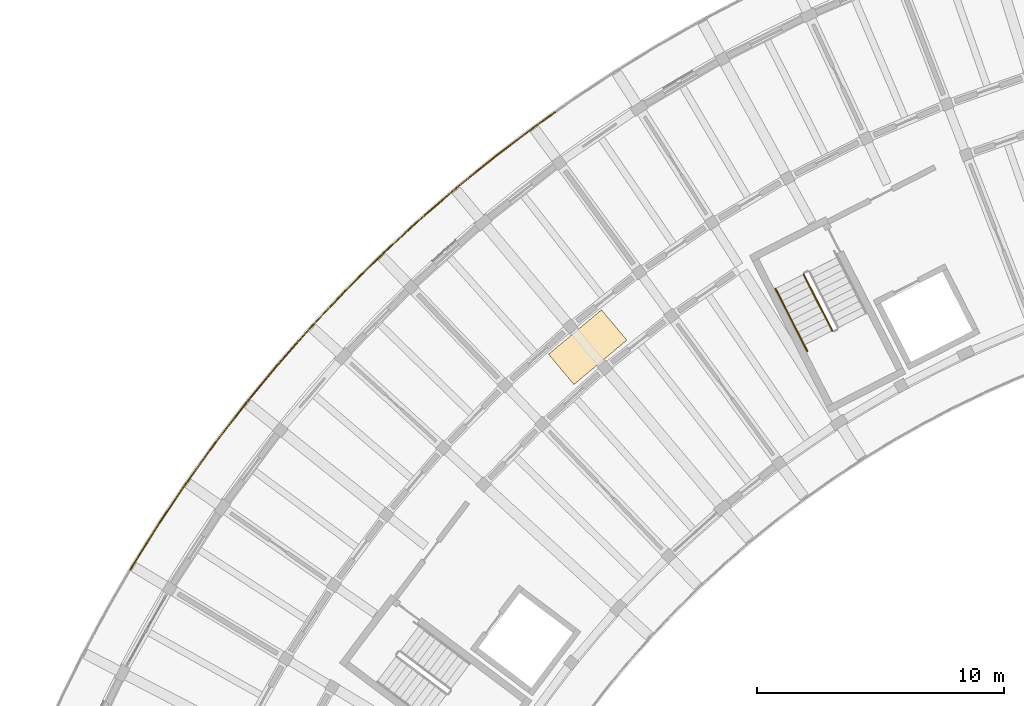
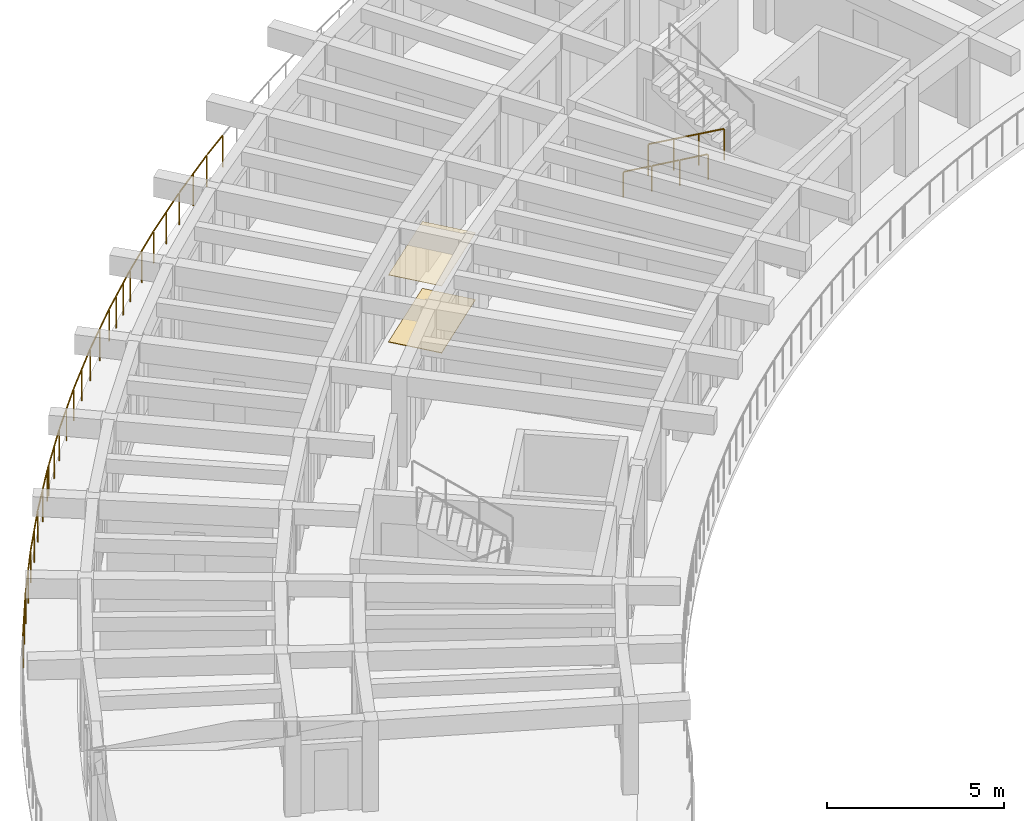
# One storey, part 31 of 36: 7 railings, 2 coverings.
"""IFC4 building model written with IfcOpenShell, lengths in metres."""

from ifc_helpers import new_model, si_unit, direction, frame, origin, origin_2d, place, context, subcontext, project, spatial, rectangle, circle, extrude, material, layer, layer_set, type_object, element, save


model = new_model("IFC4")

# Units and contexts
model_context = context("Model", 3, precision=1e-05, world=origin(), true_north=direction((0.0, 1.0)))
body_context = subcontext(model_context, "Body", "Model", "MODEL_VIEW")
ifc_project = project(units=[si_unit("LENGTHUNIT", "METRE"), si_unit("AREAUNIT", "SQUARE_METRE"), si_unit("VOLUMEUNIT", "CUBIC_METRE"), si_unit("PLANEANGLEUNIT", "RADIAN"), si_unit("MASSUNIT", "GRAM", prefix="KILO")], contexts=[model_context])

# Site, building, storey
site_placement = place(None, origin())
site = spatial("IfcSite", under=ifc_project, at=site_placement, CompositionType="ELEMENT")
building_placement = place(site_placement, origin())
building = spatial("IfcBuilding", under=site, at=building_placement, Name="Tanwirah Colonnade Gardens", CompositionType="ELEMENT")
storey_placement = place(building_placement, frame((0.0, 0.0, 39.080078125)))
storey = spatial("IfcBuildingStorey", under=building, at=storey_placement, Name="L11", CompositionType="ELEMENT", Elevation=39.080078125)

# Railings
ifc_material_1 = material(Name="Precast concrete C40/50", Category="concrete")
railing_type_1 = type_object("IfcRailingType", Name="BAL-EXT112", PredefinedType="BALUSTRADE", material=ifc_material_1)
railing_1_placement = place(storey_placement, frame((12.418701171875, 91.74462890625, 0.0)))
element("IfcRailing", 1, at=railing_1_placement, inside=storey, type_object=railing_type_1, Name="Block A L11 Balcony Ribbon Balustrade 11", PredefinedType="BALUSTRADE", context=body_context, shape_type="SweptSolid", body=[
    extrude(circle(Radius=0.02392578125, at=origin_2d()), frame((0.015625, 0.027099609375, 1.09619140625), z_axis=(0.502646771548, 0.86449188721, 0.0), x_axis=(-0.86449188721, 0.502646771548, 0.0)), (0.0, 0.0, 1.0), 0.0986328125),
    extrude(circle(Radius=0.02392578125, at=origin_2d()), frame((0.09765625, 0.166015625, 1.09619140625), z_axis=(0.530812919598, 0.847489023167, 0.0), x_axis=(-0.847489023167, 0.530812919598, 0.0)), (0.0, 0.0, 1.0), 1.958984375),
    extrude(circle(Radius=0.02392578125, at=origin_2d()), frame((1.17138671875, 1.87841796875, 1.09619140625), z_axis=(0.558345997542, 0.829608188863, 0.0), x_axis=(-0.829608188863, 0.558345997542, 0.0)), (0.0, 0.0, 1.0), 1.958984375),
    extrude(circle(Radius=0.02392578125, at=origin_2d()), frame((2.301025390625, 3.554931640625, 1.09619140625), z_axis=(0.585468507287, 0.810695150457, 0.0), x_axis=(-0.810695150457, 0.585468507287, 0.0)), (0.0, 0.0, 1.0), 1.958984375),
    extrude(circle(Radius=0.02392578125, at=origin_2d()), frame((3.4853515625, 5.193115234375, 1.09619140625), z_axis=(0.611856467608, 0.790968812942, 0.0), x_axis=(-0.790968812942, 0.611856467608, 0.0)), (0.0, 0.0, 1.0), 1.958984375),
    extrude(circle(Radius=0.02392578125, at=origin_2d()), frame((4.72314453125, 6.79150390625, 1.09619140625), z_axis=(0.637330529975, 0.770590549879, 0.0), x_axis=(-0.770590549879, 0.637330529975, 0.0)), (0.0, 0.0, 1.0), 0.190185546875),
    extrude(circle(Radius=0.02099609375, at=origin_2d()), origin(), (0.0, 0.0, 1.0), 1.069091796875),
    extrude(circle(Radius=0.02099609375, at=origin_2d()), frame((0.0810546875, 0.139404296875, 0.0)), (0.0, 0.0, 1.0), 1.069091796875),
    extrude(circle(Radius=0.02099609375, at=origin_2d()), frame((0.61767578125, 0.99609375, 0.0)), (0.0, 0.0, 1.0), 1.069091796875),
    extrude(circle(Radius=0.02099609375, at=origin_2d()), frame((1.154052734375, 1.8525390625, 0.0)), (0.0, 0.0, 1.0), 1.069091796875),
    extrude(circle(Radius=0.02099609375, at=origin_2d()), frame((1.71826171875, 2.69091796875, 0.0)), (0.0, 0.0, 1.0), 1.069091796875),
    extrude(circle(Radius=0.02099609375, at=origin_2d()), frame((2.28271484375, 3.529541015625, 0.0)), (0.0, 0.0, 1.0), 1.069091796875),
    extrude(circle(Radius=0.02099609375, at=origin_2d()), frame((2.87451171875, 4.34912109375, 0.0)), (0.0, 0.0, 1.0), 1.069091796875),
    extrude(circle(Radius=0.02099609375, at=origin_2d()), frame((3.46630859375, 5.16845703125, 0.0)), (0.0, 0.0, 1.0), 1.069091796875),
    extrude(circle(Radius=0.02099609375, at=origin_2d()), frame((4.084716796875, 5.9677734375, 0.0)), (0.0, 0.0, 1.0), 1.069091796875),
    extrude(circle(Radius=0.02099609375, at=origin_2d()), frame((4.703125, 6.767333984375, 0.0)), (0.0, 0.0, 1.0), 1.069091796875),
    extrude(circle(Radius=0.02099609375, at=origin_2d()), frame((4.8642578125, 6.962158203125, 0.0)), (0.0, 0.0, 1.0), 1.069091796875),
])
railing_2_placement = place(storey_placement, frame((17.282958984375, 98.706787109375, 0.0)))
element("IfcRailing", 2, at=railing_2_placement, inside=storey, type_object=railing_type_1, Name="Block A L11 Balcony Ribbon Balustrade 12", PredefinedType="BALUSTRADE", context=body_context, shape_type="SweptSolid", body=[
    extrude(circle(Radius=0.02392578125, at=origin_2d()), frame((0.02001953125, 0.024169921875, 1.09619140625), z_axis=(0.637587488893, 0.770377955296, 0.0), x_axis=(-0.770377955296, 0.637587488893, 0.0)), (0.0, 0.0, 1.0), 1.7060546875),
    extrude(circle(Radius=0.02392578125, at=origin_2d()), frame((1.1484375, 1.385986328125, 1.09619140625), z_axis=(0.662607760508, 0.748966591854, 0.0), x_axis=(-0.748966591854, 0.662607760508, 0.0)), (0.0, 0.0, 1.0), 1.958740234375),
    extrude(circle(Radius=0.02392578125, at=origin_2d()), frame((2.488525390625, 2.899169921875, 1.09619140625), z_axis=(0.686960364449, 0.726694886232, 0.0), x_axis=(-0.726694886232, 0.686960364449, 0.0)), (0.0, 0.0, 1.0), 1.958984375),
    extrude(circle(Radius=0.02392578125, at=origin_2d()), frame((3.8779296875, 4.367431640625, 1.09619140625), z_axis=(0.710480209462, 0.703717181801, 0.0), x_axis=(-0.703717181801, 0.710480209462, 0.0)), (0.0, 0.0, 1.0), 1.958984375),
    extrude(circle(Radius=0.02392578125, at=origin_2d()), frame((5.31494140625, 5.789306640625, 1.09619140625), z_axis=(0.733497054491, 0.679692629835, 0.0), x_axis=(-0.679692629835, 0.733497054491, 0.0)), (0.0, 0.0, 1.0), 0.6044921875),
    extrude(circle(Radius=0.02099609375, at=origin_2d()), origin(), (0.0, 0.0, 1.0), 1.069091796875),
    extrude(circle(Radius=0.02099609375, at=origin_2d()), frame((0.56396484375, 0.68115234375, 0.0)), (0.0, 0.0, 1.0), 1.069091796875),
    extrude(circle(Radius=0.02099609375, at=origin_2d()), frame((1.127685546875, 1.362548828125, 0.0)), (0.0, 0.0, 1.0), 1.069091796875),
    extrude(circle(Radius=0.02099609375, at=origin_2d()), frame((1.79736328125, 2.11962890625, 0.0)), (0.0, 0.0, 1.0), 1.069091796875),
    extrude(circle(Radius=0.02099609375, at=origin_2d()), frame((2.467041015625, 2.87646484375, 0.0)), (0.0, 0.0, 1.0), 1.069091796875),
    extrude(circle(Radius=0.02099609375, at=origin_2d()), frame((3.161376953125, 3.61083984375, 0.0)), (0.0, 0.0, 1.0), 1.069091796875),
    extrude(circle(Radius=0.02099609375, at=origin_2d()), frame((3.855712890625, 4.345458984375, 0.0)), (0.0, 0.0, 1.0), 1.069091796875),
    extrude(circle(Radius=0.02099609375, at=origin_2d()), frame((4.57373046875, 5.056640625, 0.0)), (0.0, 0.0, 1.0), 1.069091796875),
    extrude(circle(Radius=0.02099609375, at=origin_2d()), frame((5.2919921875, 5.76806640625, 0.0)), (0.0, 0.0, 1.0), 1.069091796875),
    extrude(circle(Radius=0.02099609375, at=origin_2d()), frame((5.78125, 6.221435546875, 0.0)), (0.0, 0.0, 1.0), 1.069091796875),
])
railing_3_placement = place(storey_placement, frame((23.064208984375, 104.92822265625, 0.0)))
element("IfcRailing", 3, at=railing_3_placement, inside=storey, type_object=railing_type_1, Name="Block A L11 Balcony Ribbon Balustrade 13", PredefinedType="BALUSTRADE", context=body_context, shape_type="SweptSolid", body=[
    extrude(circle(Radius=0.02392578125, at=origin_2d()), frame((0.02294921875, 0.021240234375, 1.09619140625), z_axis=(0.733281228944, 0.679925465973, 0.0), x_axis=(-0.679925465973, 0.733281228944, 0.0)), (0.0, 0.0, 1.0), 1.2919921875),
    extrude(circle(Radius=0.02392578125, at=origin_2d()), frame((1.016845703125, 0.94140625, 1.09619140625), z_axis=(0.755338292497, 0.655335077565, 0.0), x_axis=(-0.655335077565, 0.755338292497, 0.0)), (0.0, 0.0, 1.0), 1.958984375),
    extrude(circle(Radius=0.02392578125, at=origin_2d()), frame((2.544189453125, 2.265380859375, 1.09619140625), z_axis=(0.776549722569, 0.630055972417, 0.0), x_axis=(-0.630055972417, 0.776549722569, 0.0)), (0.0, 0.0, 1.0), 1.958984375),
    extrude(circle(Radius=0.02392578125, at=origin_2d()), frame((4.11474609375, 3.5380859375, 1.09619140625), z_axis=(0.796887753746, 0.604127393792, 0.0), x_axis=(-0.604127393792, 0.796887753746, 0.0)), (0.0, 0.0, 1.0), 1.958984375),
    extrude(circle(Radius=0.02392578125, at=origin_2d()), frame((5.726318359375, 4.758544921875, 1.09619140625), z_axis=(0.816303972639, 0.577622562105, 0.0), x_axis=(-0.577622562105, 0.816303972639, 0.0)), (0.0, 0.0, 1.0), 1.0185546875),
    extrude(circle(Radius=0.02099609375, at=origin_2d()), origin(), (0.0, 0.0, 1.0), 1.069091796875),
    extrude(circle(Radius=0.02099609375, at=origin_2d()), frame((0.49658203125, 0.46044921875, 0.0)), (0.0, 0.0, 1.0), 1.069091796875),
    extrude(circle(Radius=0.02099609375, at=origin_2d()), frame((0.9931640625, 0.9208984375, 0.0)), (0.0, 0.0, 1.0), 1.069091796875),
    extrude(circle(Radius=0.02099609375, at=origin_2d()), frame((1.756591796875, 1.583251953125, 0.0)), (0.0, 0.0, 1.0), 1.069091796875),
    extrude(circle(Radius=0.02099609375, at=origin_2d()), frame((2.52001953125, 2.24560546875, 0.0)), (0.0, 0.0, 1.0), 1.069091796875),
    extrude(circle(Radius=0.02099609375, at=origin_2d()), frame((3.304931640625, 2.88232421875, 0.0)), (0.0, 0.0, 1.0), 1.069091796875),
    extrude(circle(Radius=0.02099609375, at=origin_2d()), frame((4.08984375, 3.519287109375, 0.0)), (0.0, 0.0, 1.0), 1.069091796875),
    extrude(circle(Radius=0.02099609375, at=origin_2d()), frame((4.895263671875, 4.1298828125, 0.0)), (0.0, 0.0, 1.0), 1.069091796875),
    extrude(circle(Radius=0.02099609375, at=origin_2d()), frame((5.70068359375, 4.740478515625, 0.0)), (0.0, 0.0, 1.0), 1.069091796875),
    extrude(circle(Radius=0.02099609375, at=origin_2d()), frame((6.583251953125, 5.364990234375, 0.0)), (0.0, 0.0, 1.0), 1.069091796875),
])

# Coverings
ifc_material_2 = material(Name="Acoustic perforated gypsum ceiling board")
ifc_layer_1 = layer(ifc_material_2, 0.014892578125)
ifc_layer_set_1 = layer_set([ifc_layer_1], Name="Acoustic perforated gypsum ceiling board")
covering_type_1 = type_object("IfcCoveringType", Name="COV-CEIL15", PredefinedType="CEILING", material=ifc_layer_set_1)
covering_1_placement = place(storey_placement, frame((30.96435546875, 100.761962890625, 2.3125), z_axis=(0.0, 0.0, 1.0), x_axis=(-0.766044443119, -0.642787609687, 0.0)))
element("IfcCovering", 4, at=covering_1_placement, inside=storey, type_object=covering_type_1, Name="Block A L11 Corridor Acoustic Ceiling", PredefinedType="CEILING", context=body_context, shape_type="SweptSolid", body=[
    extrude(rectangle(XDim=2.800048828125, YDim=1.60009765625, at=origin_2d()), origin(), (0.0, 0.0, 1.0), 0.014892578125),
])
ifc_material_3 = material(Name="Honed Abu Dhabi limestone terrazzo flooring", Category="masonry")
ifc_layer_2 = layer(ifc_material_3, 0.02001953125)
ifc_layer_set_2 = layer_set([ifc_layer_2], Name="Honed Abu Dhabi limestone terrazzo flooring")
covering_type_2 = type_object("IfcCoveringType", Name="COV-FLR20", PredefinedType="FLOORING", material=ifc_layer_set_2)
covering_2_placement = place(storey_placement, frame((30.96435546875, 100.761962890625, 0.0), z_axis=(0.0, 0.0, 1.0), x_axis=(-0.766044443119, -0.642787609687, 0.0)))
element("IfcCovering", 5, at=covering_2_placement, inside=storey, type_object=covering_type_2, Name="Block A L11 Corridor Terrazzo Flooring", PredefinedType="FLOORING", context=body_context, shape_type="SweptSolid", body=[
    extrude(rectangle(XDim=2.800048828125, YDim=1.60009765625, at=origin_2d()), origin(), (0.0, 0.0, 1.0), 0.02001953125),
])

# Railings
ifc_material_4 = material(Name="Powder-coated galvanized steel", Category="steel")
railing_type_2 = type_object("IfcRailingType", Name="GRD-ST110", PredefinedType="GUARDRAIL", material=ifc_material_4)
railing_4_placement = place(storey_placement, frame((39.718994140625, 103.715576171875, 0.16796875)))
element("IfcRailing", 6, at=railing_4_placement, inside=storey, type_object=railing_type_2, Name="L11 ST-A1 stair guard 1", PredefinedType="GUARDRAIL", context=body_context, shape_type="SweptSolid", body=[
    extrude(circle(Radius=0.02392578125, at=origin_2d()), frame((0.01220703125, -0.02392578125, 1.092041015625), z_axis=(0.391052831089, -0.767591854021, 0.507819287678), x_axis=(0.891032232724, 0.453940040365, 0.0)), (0.0, 0.0, 1.0), 2.914794921875),
    extrude(circle(Radius=0.02099609375, at=origin_2d()), origin(), (0.0, 0.0, 1.0), 1.049072265625),
    extrude(circle(Radius=0.02099609375, at=origin_2d()), frame((0.38818359375, -0.76171875, 0.50390625)), (0.0, 0.0, 1.0), 1.049072265625),
    extrude(circle(Radius=0.02099609375, at=origin_2d()), frame((0.776123046875, -1.523681640625, 1.008056640625)), (0.0, 0.0, 1.0), 1.049072265625),
    extrude(circle(Radius=0.02099609375, at=origin_2d()), frame((1.164306640625, -2.285400390625, 1.511962890625)), (0.0, 0.0, 1.0), 1.049072265625),
])
ifc_material_5 = material(Name="Brushed bronze stainless steel", Category="steel")
railing_type_3 = type_object("IfcRailingType", Name="HR-ST090", PredefinedType="HANDRAIL", material=ifc_material_5)
railing_5_placement = place(storey_placement, frame((38.578369140625, 103.134521484375, 0.16796875)))
element("IfcRailing", 7, at=railing_5_placement, inside=storey, type_object=railing_type_3, Name="L11 ST-A1 stair handrail 1", PredefinedType="HANDRAIL", context=body_context, shape_type="SweptSolid", body=[
    extrude(circle(Radius=0.02392578125, at=origin_2d()), frame((0.01220703125, -0.02392578125, 0.891845703125), z_axis=(0.390051618152, -0.765534245474, 0.511680617361), x_axis=(0.891010084603, 0.453983511965, 0.0)), (0.0, 0.0, 1.0), 1.04345703125),
    extrude(circle(Radius=0.02099609375, at=origin_2d()), origin(), (0.0, 0.0, 1.0), 0.848876953125),
    extrude(circle(Radius=0.02099609375, at=origin_2d()), frame((0.431396484375, -0.8466796875, 0.56591796875)), (0.0, 0.0, 1.0), 0.848876953125),
])
railing_6_placement = place(storey_placement, frame((39.009765625, 102.287841796875, 0.73388671875)))
element("IfcRailing", 8, at=railing_6_placement, inside=storey, type_object=railing_type_3, Name="L11 ST-A1 stair handrail 2", PredefinedType="HANDRAIL", context=body_context, shape_type="SweptSolid", body=[
    extrude(circle(Radius=0.02392578125, at=origin_2d()), frame((0.01220703125, -0.02392578125, 0.891845703125), z_axis=(0.38993033558, -0.765508761867, 0.511811165275), x_axis=(0.891061070925, 0.453883429839, 0.0)), (0.0, 0.0, 1.0), 1.043212890625),
    extrude(circle(Radius=0.02099609375, at=origin_2d()), origin(), (0.0, 0.0, 1.0), 0.848876953125),
    extrude(circle(Radius=0.02099609375, at=origin_2d()), frame((0.43115234375, -0.846435546875, 0.56591796875)), (0.0, 0.0, 1.0), 0.848876953125),
])
railing_7_placement = place(storey_placement, frame((39.44091796875, 101.44140625, 1.2998046875)))
element("IfcRailing", 9, at=railing_7_placement, inside=storey, type_object=railing_type_3, Name="L11 ST-A1 stair handrail 3", PredefinedType="HANDRAIL", context=body_context, shape_type="SweptSolid", body=[
    extrude(circle(Radius=0.02392578125, at=origin_2d()), frame((0.01220703125, -0.02392578125, 0.891845703125), z_axis=(0.390073458003, -0.765356354779, 0.511930022133), x_axis=(0.890957114254, 0.454087459154, 0.0)), (0.0, 0.0, 1.0), 1.04345703125),
    extrude(circle(Radius=0.02099609375, at=origin_2d()), origin(), (0.0, 0.0, 1.0), 0.848876953125),
    extrude(circle(Radius=0.02099609375, at=origin_2d()), frame((0.431396484375, -0.846435546875, 0.566162109375)), (0.0, 0.0, 1.0), 0.848876953125),
])

save(model, "model.ifc")
